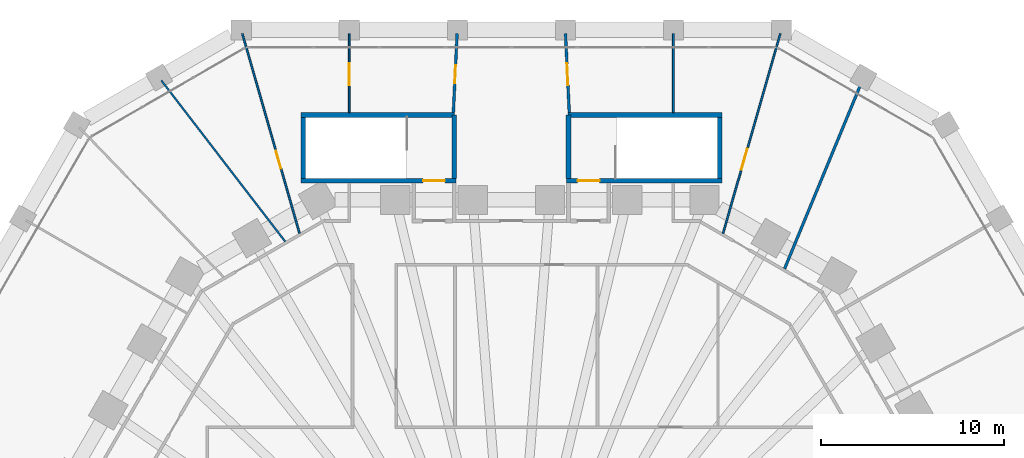
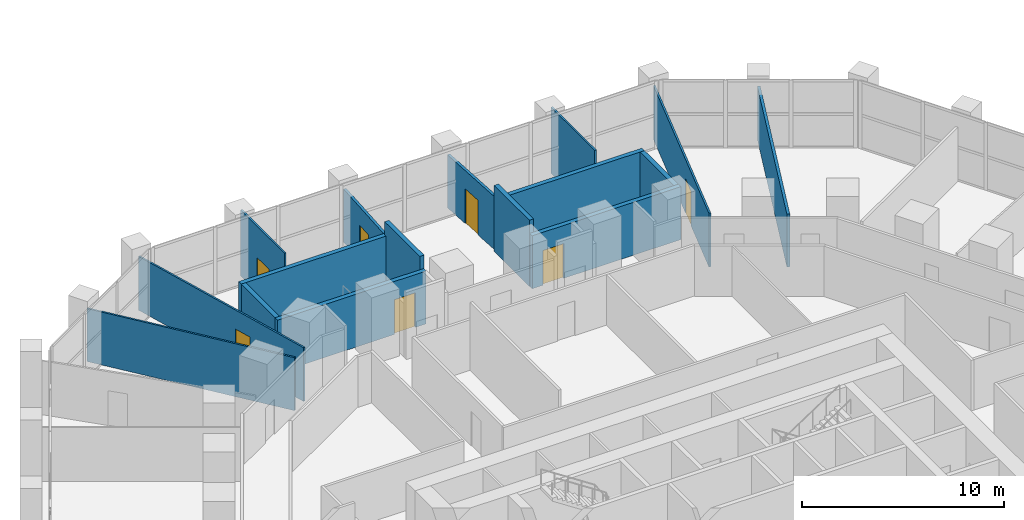
# One storey, part 28 of 38: 16 walls, 7 doors, 7 openings.
"""IFC4 building model written with IfcOpenShell, lengths in metres."""

from ifc_helpers import new_model, si_unit, direction, frame, frame_2d, origin, place, context, subcontext, project, spatial, rectangle, extrude, material, layer, layer_set, type_object, element, fill, save


model = new_model("IFC4")

# Units and contexts
model_context = context("Model", 3, precision=1e-05, world=origin(), true_north=direction((0.0, 1.0)))
body_context = subcontext(model_context, "Body", "Model", "MODEL_VIEW")
ifc_project = project(units=[si_unit("LENGTHUNIT", "METRE"), si_unit("AREAUNIT", "SQUARE_METRE"), si_unit("VOLUMEUNIT", "CUBIC_METRE"), si_unit("PLANEANGLEUNIT", "RADIAN"), si_unit("MASSUNIT", "GRAM", prefix="KILO")], contexts=[model_context])

# Site, building, storey
site_placement = place(None, origin())
site = spatial("IfcSite", under=ifc_project, at=site_placement, CompositionType="ELEMENT")
building_placement = place(site_placement, origin())
building = spatial("IfcBuilding", under=site, at=building_placement, Name="Frailejon Research Tower", CompositionType="ELEMENT")
storey_placement = place(building_placement, frame((0.0, 0.0, 10.199951171875)))
storey = spatial("IfcBuildingStorey", under=building, at=storey_placement, Name="L02", CompositionType="ELEMENT", Elevation=10.199951171875)

# Wall
ifc_material_1 = material(Name="Gypsum board and masonry partition", Category="masonry")
ifc_layer_1 = layer(ifc_material_1, 0.14990234375)
ifc_layer_set_1 = layer_set([ifc_layer_1], Name="Laboratory partition, blockwork 150")
wall_type_1 = type_object("IfcWallType", Name="Laboratory partition, blockwork 150", PredefinedType="PARTITIONING", material=ifc_layer_set_1)
wall_1_placement = place(storey_placement, frame((14.958984375, 22.9296875, 0.0), z_axis=(0.0, 0.0, 1.0), x_axis=(0.38176137663, 0.924260921663, 0.0)))
element("IfcWall", 1, at=wall_1_placement, inside=storey, type_object=wall_type_1, Name="T:IW:L02:069", PredefinedType="PARTITIONING", context=body_context, shape_type="SweptSolid", body=[
    extrude(rectangle(XDim=11.128662109375, YDim=0.14990234375, at=frame_2d((5.564453125, 0.0))), origin(), (0.0, 0.0, 1.0), 3.199951171875),
])

# Wall, opening, door
wall_2_placement = place(storey_placement, frame((2.966552734375, 35.800048828125, 0.0), z_axis=(0.0, 0.0, 1.0), x_axis=(0.047755341285, -0.998859062821, 0.0)))
wall_2 = element("IfcWall", 2, at=wall_2_placement, inside=storey, type_object=wall_type_1, Name="T:IW:L02:071", PredefinedType="PARTITIONING", context=body_context, shape_type="SweptSolid", body=[
    extrude(rectangle(XDim=4.330078125, YDim=0.14990234375, at=frame_2d((2.1650390625, 0.0))), origin(), (0.0, 0.0, 1.0), 3.199951171875),
])
opening_1_placement = place(wall_2_placement, frame((1.62744140625, 0.0, 0.0)))
opening_1 = element("IfcOpeningElement", 3, at=opening_1_placement, cuts=wall_2, Name="Opening D1064", PredefinedType="OPENING", context=body_context, shape_type="SweptSolid", body=[
    extrude(rectangle(XDim=1.199951171875, YDim=2.10009765625, at=frame_2d((0.60009765625, 1.050048828125))), frame((0.0, 0.0849609375, 0.0), z_axis=(0.0, -1.0, 0.0), x_axis=(1.0, 0.0, 0.0)), (0.0, 0.0, 1.0), 0.169921875),
])
ifc_material_2 = material(Name="Timber door leaf", Category="wood")
door_type_1 = type_object("IfcDoorType", Name="Door single leaf, timber, steel frame 1200", OperationType="NOTDEFINED", PredefinedType="DOOR", material=ifc_material_2)
door_1_placement = place(opening_1_placement, origin())
door_1 = element("IfcDoor", 4, at=door_1_placement, inside=storey, type_object=door_type_1, Name="D1064", OperationType="DOUBLE_DOOR_SINGLE_SWING", OverallHeight=2.10009765625, OverallWidth=1.199951171875, PredefinedType="DOOR", context=body_context, shape_type="SweptSolid", body=[
    extrude(rectangle(XDim=1.199951171875, YDim=2.10009765625, at=frame_2d((0.60009765625, 1.050048828125))), frame((0.0, 0.02490234375, 0.0), z_axis=(0.0, -1.0, 0.0), x_axis=(1.0, 0.0, 0.0)), (0.0, 0.0, 1.0), 0.050048828125),
])
fill(opening_1, door_1)

wall_3_placement = place(storey_placement, frame((-3.17333984375, 31.474853515625, 0.0), z_axis=(0.0, 0.0, 1.0), x_axis=(0.047755341285, 0.998859062821, 0.0)))
wall_3 = element("IfcWall", 5, at=wall_3_placement, inside=storey, type_object=wall_type_1, Name="T:IW:L02:073", PredefinedType="PARTITIONING", context=body_context, shape_type="SweptSolid", body=[
    extrude(rectangle(XDim=4.330078125, YDim=0.14990234375, at=frame_2d((2.1650390625, 0.0))), origin(), (0.0, 0.0, 1.0), 3.199951171875),
])
opening_2_placement = place(wall_3_placement, frame((1.6025390625, 0.0, 0.0)))
opening_2 = element("IfcOpeningElement", 6, at=opening_2_placement, cuts=wall_3, Name="Opening D1067", PredefinedType="OPENING", context=body_context, shape_type="SweptSolid", body=[
    extrude(rectangle(XDim=1.0, YDim=2.10009765625, at=frame_2d((0.5, 1.050048828125))), frame((0.0, 0.0849609375, 0.0), z_axis=(0.0, -1.0, 0.0), x_axis=(1.0, 0.0, 0.0)), (0.0, 0.0, 1.0), 0.169921875),
])
ifc_material_3 = material(Name="Timber door leaf", Category="wood")
door_type_2 = type_object("IfcDoorType", Name="Door single leaf, timber, steel frame 1000", OperationType="NOTDEFINED", PredefinedType="DOOR", material=ifc_material_3)
door_2_placement = place(opening_2_placement, origin())
door_2 = element("IfcDoor", 7, at=door_2_placement, inside=storey, type_object=door_type_2, Name="D1067", OperationType="SINGLE_SWING_LEFT", OverallHeight=2.10009765625, OverallWidth=1.0, PredefinedType="DOOR", context=body_context, shape_type="SweptSolid", body=[
    extrude(rectangle(XDim=1.0, YDim=2.10009765625, at=frame_2d((0.5, 1.050048828125))), frame((0.0, 0.02490234375, 0.0), z_axis=(0.0, -1.0, 0.0), x_axis=(1.0, 0.0, 0.0)), (0.0, 0.0, 1.0), 0.050048828125),
])
fill(opening_2, door_2)

ifc_material_4 = material(Name="Gypsum board and masonry partition", Category="masonry")
ifc_layer_2 = layer(ifc_material_4, 0.10009765625)
ifc_layer_set_2 = layer_set([ifc_layer_2], Name="Partition, gypsum on steel studs 100")
wall_type_2 = type_object("IfcWallType", Name="Partition, gypsum on steel studs 100", PredefinedType="PARTITIONING", material=ifc_layer_set_2)
wall_4_placement = place(storey_placement, frame((11.591552734375, 24.8720703125, 0.0), z_axis=(0.0, 0.0, 1.0), x_axis=(0.27581573325, 0.96121052912, 0.0)))
wall_4 = element("IfcWall", 8, at=wall_4_placement, inside=storey, type_object=wall_type_2, Name="T:IW:L02:084", PredefinedType="PARTITIONING", context=body_context, shape_type="SweptSolid", body=[
    extrude(rectangle(XDim=11.368896484375, YDim=0.10009765625, at=frame_2d((5.6845703125, 0.0))), origin(), (0.0, 0.0, 1.0), 3.25),
])
opening_3_placement = place(wall_4_placement, frame((3.615478515625, 0.0, 0.0)))
opening_3 = element("IfcOpeningElement", 9, at=opening_3_placement, cuts=wall_4, Name="Opening D1063", PredefinedType="OPENING", context=body_context, shape_type="SweptSolid", body=[
    extrude(rectangle(XDim=1.199951171875, YDim=2.10009765625, at=frame_2d((0.60009765625, 1.050048828125))), frame((0.0, 0.06005859375, 0.0), z_axis=(0.0, -1.0, 0.0), x_axis=(1.0, 0.0, 0.0)), (0.0, 0.0, 1.0), 0.1201171875),
])
door_3_placement = place(opening_3_placement, origin())
door_3 = element("IfcDoor", 10, at=door_3_placement, inside=storey, type_object=door_type_1, Name="D1063", OperationType="DOUBLE_DOOR_SINGLE_SWING", OverallHeight=2.10009765625, OverallWidth=1.199951171875, PredefinedType="DOOR", context=body_context, shape_type="SweptSolid", body=[
    extrude(rectangle(XDim=1.199951171875, YDim=2.10009765625, at=frame_2d((0.60009765625, 1.050048828125))), frame((0.0, 0.02490234375, 0.0), z_axis=(0.0, -1.0, 0.0), x_axis=(1.0, 0.0, 0.0)), (0.0, 0.0, 1.0), 0.050048828125),
])
fill(opening_3, door_3)

# Wall
wall_5_placement = place(storey_placement, frame((8.870849609375, 31.47509765625, 0.0), z_axis=(0.0, 0.0, 1.0), x_axis=(0.0, 1.0, 0.0)))
element("IfcWall", 11, at=wall_5_placement, inside=storey, type_object=wall_type_2, Name="T:IW:L02:086", PredefinedType="PARTITIONING", context=body_context, shape_type="SweptSolid", body=[
    extrude(rectangle(XDim=4.324951171875, YDim=0.10009765625, at=frame_2d((2.16259765625, 0.0))), origin(), (0.0, 0.0, 1.0), 4.0),
])

# Wall, opening, door
wall_6_placement = place(storey_placement, frame((-8.870849609375, 31.47509765625, 0.0), z_axis=(0.0, 0.0, 1.0), x_axis=(0.0, 1.0, 0.0)))
wall_6 = element("IfcWall", 12, at=wall_6_placement, inside=storey, type_object=wall_type_2, Name="T:IW:L02:088", PredefinedType="PARTITIONING", context=body_context, shape_type="SweptSolid", body=[
    extrude(rectangle(XDim=4.324951171875, YDim=0.10009765625, at=frame_2d((2.16259765625, 0.0))), origin(), (0.0, 0.0, 1.0), 4.0),
])
opening_4_placement = place(wall_6_placement, frame((1.5, 0.0, 0.0)))
opening_4 = element("IfcOpeningElement", 13, at=opening_4_placement, cuts=wall_6, Name="Opening D1069", PredefinedType="OPENING", context=body_context, shape_type="SweptSolid", body=[
    extrude(rectangle(XDim=1.199951171875, YDim=2.10009765625, at=frame_2d((0.60009765625, 1.050048828125))), frame((0.0, 0.06005859375, 0.0), z_axis=(0.0, -1.0, 0.0), x_axis=(1.0, 0.0, 0.0)), (0.0, 0.0, 1.0), 0.1201171875),
])
door_4_placement = place(opening_4_placement, origin())
door_4 = element("IfcDoor", 14, at=door_4_placement, inside=storey, type_object=door_type_1, Name="D1069", OperationType="DOUBLE_DOOR_SINGLE_SWING", OverallHeight=2.10009765625, OverallWidth=1.199951171875, PredefinedType="DOOR", context=body_context, shape_type="SweptSolid", body=[
    extrude(rectangle(XDim=1.199951171875, YDim=2.10009765625, at=frame_2d((0.60009765625, 1.050048828125))), frame((0.0, 0.02490234375, 0.0), z_axis=(0.0, -1.0, 0.0), x_axis=(1.0, 0.0, 0.0)), (0.0, 0.0, 1.0), 0.050048828125),
])
fill(opening_4, door_4)

wall_7_placement = place(storey_placement, frame((-14.727294921875, 35.800048828125, 0.0), z_axis=(0.0, 0.0, 1.0), x_axis=(0.27581573325, -0.96121052912, 0.0)))
wall_7 = element("IfcWall", 15, at=wall_7_placement, inside=storey, type_object=wall_type_2, Name="T:IW:L02:089", PredefinedType="PARTITIONING", context=body_context, shape_type="SweptSolid", body=[
    extrude(rectangle(XDim=11.368896484375, YDim=0.10009765625, at=frame_2d((5.6845703125, 0.0))), origin(), (0.0, 0.0, 1.0), 3.25),
])
opening_5_placement = place(wall_7_placement, frame((6.68359375, 0.0, 0.0)))
opening_5 = element("IfcOpeningElement", 16, at=opening_5_placement, cuts=wall_7, Name="Opening D1070", PredefinedType="OPENING", context=body_context, shape_type="SweptSolid", body=[
    extrude(rectangle(XDim=1.0, YDim=2.10009765625, at=frame_2d((0.5, 1.050048828125))), frame((0.0, 0.06005859375, 0.0), z_axis=(0.0, -1.0, 0.0), x_axis=(1.0, 0.0, 0.0)), (0.0, 0.0, 1.0), 0.1201171875),
])
door_5_placement = place(opening_5_placement, origin())
door_5 = element("IfcDoor", 17, at=door_5_placement, inside=storey, type_object=door_type_2, Name="D1070", OperationType="SINGLE_SWING_LEFT", OverallHeight=2.10009765625, OverallWidth=1.0, PredefinedType="DOOR", context=body_context, shape_type="SweptSolid", body=[
    extrude(rectangle(XDim=1.0, YDim=2.10009765625, at=frame_2d((0.5, 1.050048828125))), frame((0.0, 0.02490234375, 0.0), z_axis=(0.0, -1.0, 0.0), x_axis=(1.0, 0.0, 0.0)), (0.0, 0.0, 1.0), 0.050048828125),
])
fill(opening_5, door_5)

# Walls
wall_8_placement = place(storey_placement, frame((-19.16162109375, 33.241943359375, 0.0), z_axis=(0.0, 0.0, 1.0), x_axis=(0.609546416877, -0.79275038043, 0.0)))
element("IfcWall", 18, at=wall_8_placement, inside=storey, type_object=wall_type_2, Name="T:IW:L02:090", PredefinedType="PARTITIONING", context=body_context, shape_type="SweptSolid", body=[
    extrude(rectangle(XDim=11.128662109375, YDim=0.10009765625, at=frame_2d((5.564453125, 0.0))), origin(), (0.0, 0.0, 1.0), 3.199951171875),
])
ifc_material_5 = material(Name="Concrete C50/60", Category="concrete")
ifc_layer_3 = layer(ifc_material_5, 0.25)
ifc_layer_set_3 = layer_set([ifc_layer_3], Name="Stair enclosure wall EI 120, Concrete C50/60 250")
wall_type_3 = type_object("IfcWallType", Name="Stair enclosure wall EI 120, Concrete C50/60 250", PredefinedType="SOLIDWALL", material=ifc_layer_set_3)
wall_9_placement = place(storey_placement, frame((-11.40185546875, 27.875, 0.0), z_axis=(0.0, 0.0, 1.0), x_axis=(0.0, 1.0, 0.0)))
element("IfcWall", 19, at=wall_9_placement, inside=storey, type_object=wall_type_3, Name="T:IW:L02:109", PredefinedType="SOLIDWALL", context=body_context, shape_type="SweptSolid", body=[
    extrude(rectangle(XDim=3.35009765625, YDim=0.25, at=frame_2d((1.675048828125, 0.0))), origin(), (0.0, 0.0, 1.0), 3.199951171875),
])
for number, where, z_axis, x_axis, name in (
    (20, (-11.52685546875, 31.35009765625, 0.0), (0.0, 0.0, 1.0), (1.0, 0.0, 0.0), "T:IW:L02:110"),
    (21, (3.1044921875, 31.35009765625, 0.0), (0.0, 0.0, 1.0), (1.0, 0.0, 0.0), "T:IW:L02:111"),
):
    element("IfcWall", number, at=place(storey_placement, frame(where, z_axis=z_axis, x_axis=x_axis)), inside=storey, type_object=wall_type_3, Name=name, PredefinedType="SOLIDWALL", context=body_context, shape_type="SweptSolid", body=[
        extrude(rectangle(XDim=8.42236328125, YDim=0.25, at=frame_2d((4.211181640625, 0.0))), origin(), (0.0, 0.0, 1.0), 3.199951171875),
    ])
wall_10_placement = place(storey_placement, frame((-3.132080078125, 27.875, 0.0), z_axis=(0.0, 0.0, 1.0), x_axis=(0.0, 1.0, 0.0)))
element("IfcWall", 22, at=wall_10_placement, inside=storey, type_object=wall_type_3, Name="T:IW:L02:113", PredefinedType="SOLIDWALL", context=body_context, shape_type="SweptSolid", body=[
    extrude(rectangle(XDim=3.47509765625, YDim=0.25, at=frame_2d((1.737548828125, 0.0))), origin(), (0.0, 0.0, 1.0), 4.0),
])

# Wall, opening, door
wall_11_placement = place(storey_placement, frame((-11.52685546875, 27.75, 0.0), z_axis=(0.0, 0.0, 1.0), x_axis=(1.0, 0.0, 0.0)))
wall_11 = element("IfcWall", 23, at=wall_11_placement, inside=storey, type_object=wall_type_3, Name="T:IW:L02:114", PredefinedType="SOLIDWALL", context=body_context, shape_type="SweptSolid", body=[
    extrude(rectangle(XDim=8.494873046875, YDim=0.25, at=frame_2d((4.24755859375, 0.0))), origin(), (0.0, 0.0, 1.0), 3.199951171875),
])
opening_6_placement = place(wall_11_placement, frame((6.695068359375, 0.0, 0.0)))
opening_6 = element("IfcOpeningElement", 24, at=opening_6_placement, cuts=wall_11, Name="Opening PSD27", PredefinedType="OPENING", context=body_context, shape_type="SweptSolid", body=[
    extrude(rectangle(XDim=1.199951171875, YDim=2.10009765625, at=frame_2d((0.60009765625, 1.050048828125))), frame((0.0, 0.135009765625, 0.0), z_axis=(0.0, -1.0, 0.0), x_axis=(1.0, 0.0, 0.0)), (0.0, 0.0, 1.0), 0.27001953125),
])
ifc_material_6 = material(Name="Steel door leaf", Category="steel")
door_type_3 = type_object("IfcDoorType", Name="Door exit passage, steel, fire rated 1200", OperationType="NOTDEFINED", PredefinedType="DOOR", material=ifc_material_6)
door_6_placement = place(opening_6_placement, origin())
door_6 = element("IfcDoor", 25, at=door_6_placement, inside=storey, type_object=door_type_3, Name="PSD27", OperationType="SINGLE_SWING_RIGHT", OverallHeight=2.10009765625, OverallWidth=1.199951171875, PredefinedType="DOOR", context=body_context, shape_type="SweptSolid", body=[
    extrude(rectangle(XDim=1.199951171875, YDim=2.10009765625, at=frame_2d((0.60009765625, 1.050048828125))), frame((0.0, 0.02490234375, 0.0), z_axis=(0.0, -1.0, 0.0), x_axis=(1.0, 0.0, 0.0)), (0.0, 0.0, 1.0), 0.050048828125),
])
fill(opening_6, door_6)

wall_12_placement = place(storey_placement, frame((3.031982421875, 27.75, 0.0), z_axis=(0.0, 0.0, 1.0), x_axis=(1.0, 0.0, 0.0)))
wall_12 = element("IfcWall", 26, at=wall_12_placement, inside=storey, type_object=wall_type_3, Name="T:IW:L02:115", PredefinedType="SOLIDWALL", context=body_context, shape_type="SweptSolid", body=[
    extrude(rectangle(XDim=8.494873046875, YDim=0.25, at=frame_2d((4.24755859375, 0.0))), origin(), (0.0, 0.0, 1.0), 3.199951171875),
])
opening_7_placement = place(wall_12_placement, frame((0.60009765625, 0.0, 0.0)))
opening_7 = element("IfcOpeningElement", 27, at=opening_7_placement, cuts=wall_12, Name="Opening PSD29", PredefinedType="OPENING", context=body_context, shape_type="SweptSolid", body=[
    extrude(rectangle(XDim=1.199951171875, YDim=2.10009765625, at=frame_2d((0.60009765625, 1.050048828125))), frame((0.0, 0.135009765625, 0.0), z_axis=(0.0, -1.0, 0.0), x_axis=(1.0, 0.0, 0.0)), (0.0, 0.0, 1.0), 0.27001953125),
])
door_7_placement = place(opening_7_placement, origin())
door_7 = element("IfcDoor", 28, at=door_7_placement, inside=storey, type_object=door_type_3, Name="PSD29", OperationType="SINGLE_SWING_RIGHT", OverallHeight=2.10009765625, OverallWidth=1.199951171875, PredefinedType="DOOR", context=body_context, shape_type="SweptSolid", body=[
    extrude(rectangle(XDim=1.199951171875, YDim=2.10009765625, at=frame_2d((0.60009765625, 1.050048828125))), frame((0.0, 0.02490234375, 0.0), z_axis=(0.0, -1.0, 0.0), x_axis=(1.0, 0.0, 0.0)), (0.0, 0.0, 1.0), 0.050048828125),
])
fill(opening_7, door_7)

# Walls
wall_13_placement = place(storey_placement, frame((3.132080078125, 27.875, 0.0), z_axis=(0.0, 0.0, 1.0), x_axis=(0.0, 1.0, 0.0)))
element("IfcWall", 29, at=wall_13_placement, inside=storey, type_object=wall_type_3, Name="T:IW:L02:117", PredefinedType="SOLIDWALL", context=body_context, shape_type="SweptSolid", body=[
    extrude(rectangle(XDim=3.47509765625, YDim=0.25, at=frame_2d((1.737548828125, 0.0))), origin(), (0.0, 0.0, 1.0), 4.0),
])
wall_14_placement = place(storey_placement, frame((11.40185546875, 27.875, 0.0), z_axis=(0.0, 0.0, 1.0), x_axis=(0.0, 1.0, 0.0)))
element("IfcWall", 30, at=wall_14_placement, inside=storey, type_object=wall_type_3, Name="T:IW:L02:119", PredefinedType="SOLIDWALL", context=body_context, shape_type="SweptSolid", body=[
    extrude(rectangle(XDim=3.35009765625, YDim=0.25, at=frame_2d((1.675048828125, 0.0))), origin(), (0.0, 0.0, 1.0), 3.199951171875),
])

save(model, "model.ifc")
